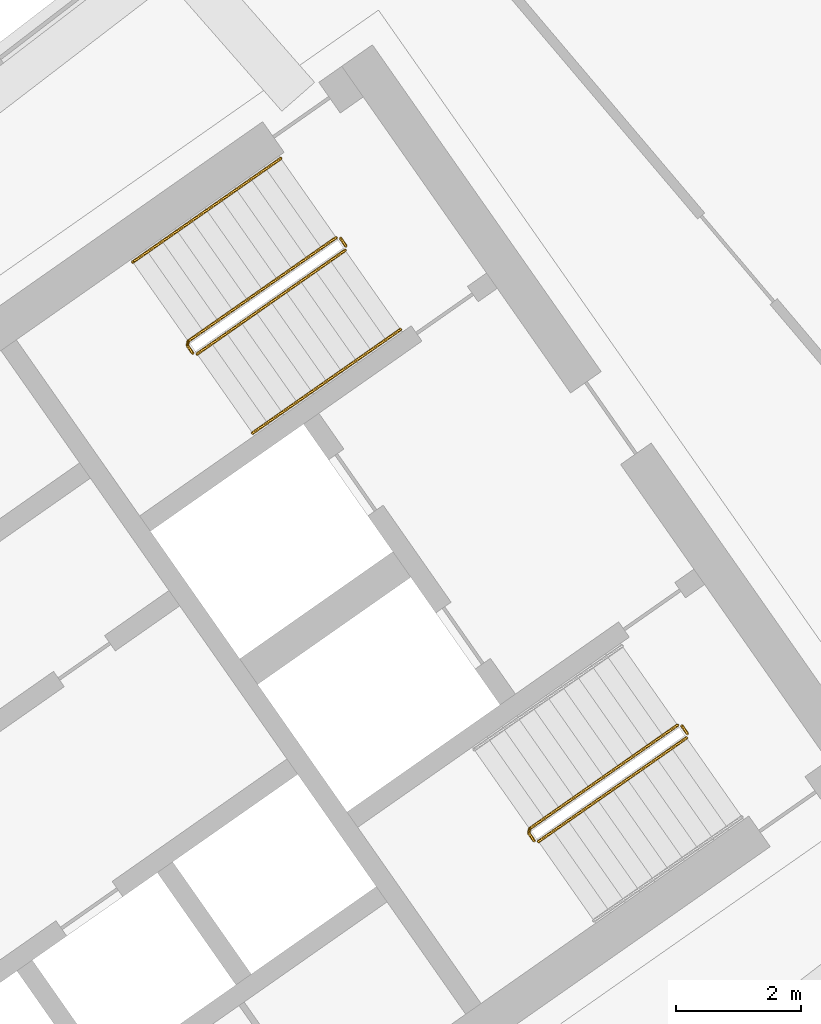
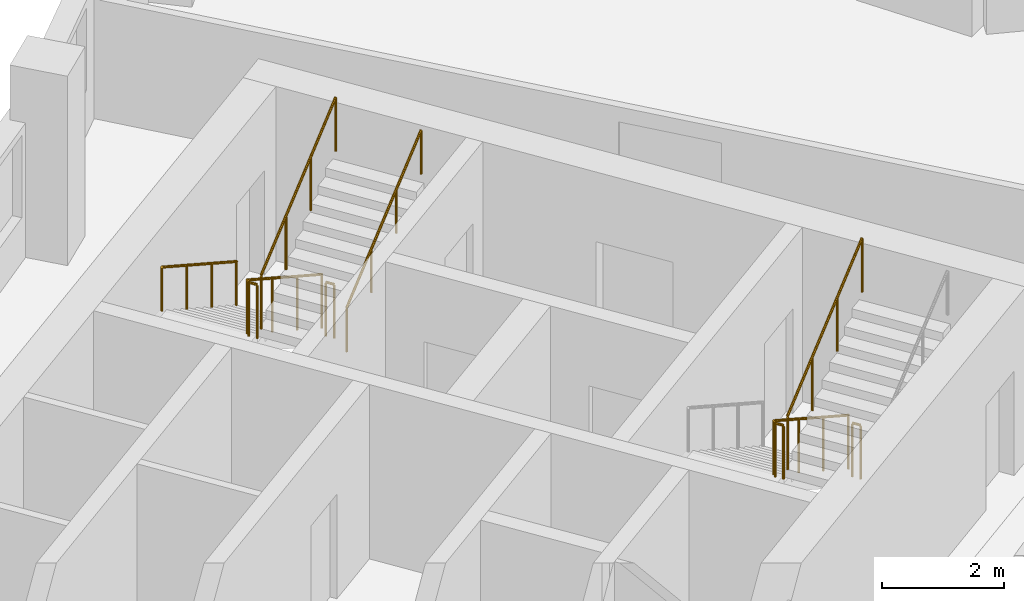
# One storey, part 29 of 29: 8 railings.
"""IFC4 building model written with IfcOpenShell, lengths in metres."""

from ifc_helpers import new_model, si_unit, direction, frame, origin, origin_2d, place, context, subcontext, project, spatial, circle, extrude, material, type_object, element, save


model = new_model("IFC4")

# Units and contexts
model_context = context("Model", 3, precision=1e-05, world=origin(), true_north=direction((0.0, 1.0)))
body_context = subcontext(model_context, "Body", "Model", "MODEL_VIEW")
ifc_project = project(units=[si_unit("LENGTHUNIT", "METRE"), si_unit("AREAUNIT", "SQUARE_METRE"), si_unit("VOLUMEUNIT", "CUBIC_METRE"), si_unit("PLANEANGLEUNIT", "RADIAN"), si_unit("MASSUNIT", "GRAM", prefix="KILO")], contexts=[model_context])

# Site, building, storey
site_placement = place(None, origin())
site = spatial("IfcSite", under=ifc_project, at=site_placement, CompositionType="ELEMENT")
building_placement = place(site_placement, origin())
building = spatial("IfcBuilding", under=site, at=building_placement, Name="Qamariyya Broadcast Tower", CompositionType="ELEMENT")
storey_placement = place(building_placement, frame((0.0, 0.0, 261.89990234375)))
storey = spatial("IfcBuildingStorey", under=building, at=storey_placement, Name="L63", CompositionType="ELEMENT", Elevation=261.89990234375)

# Railings
ifc_material_1 = material(Name="Painted steel", Category="steel")
railing_type_1 = type_object("IfcRailingType", Name="Stair guard", PredefinedType="GUARDRAIL", material=ifc_material_1)
railing_1_placement = place(storey_placement, frame((41.003173828125, -48.320068359375, 0.1728515625)))
element("IfcRailing", 1, at=railing_1_placement, inside=storey, type_object=railing_type_1, Name="L63 ST-E2 stair guard 1", PredefinedType="GUARDRAIL", context=body_context, shape_type="SweptSolid", body=[
    extrude(circle(Radius=0.02392578125, at=origin_2d()), frame((0.0, 0.0, 1.076171875), z_axis=(-0.703770094002, -0.492783725636, 0.511734163933), x_axis=(0.573575343427, -0.819152809562, 0.0)), (0.0, 0.0, 1.0), 3.37548828125),
    extrude(circle(Radius=0.02392578125, at=origin_2d()), frame((-2.37548828125, -1.663330078125, 2.80322265625), z_axis=(-0.172799478008, -0.984957024646, 0.0), x_axis=(0.984957024646, -0.172799478008, 0.0)), (0.0, 0.0, 1.0), 0.070556640625),
    extrude(circle(Radius=0.02392578125, at=origin_2d()), frame((-2.3876953125, -1.73291015625, 2.80322265625), z_axis=(0.572588637393, -0.819842821722, 0.0), x_axis=(0.819842821722, 0.572588637393, 0.0)), (0.0, 0.0, 1.0), 0.150146484375),
    extrude(circle(Radius=0.02099609375, at=origin_2d()), origin(), (0.0, 0.0, 1.0), 1.052001953125),
    extrude(circle(Radius=0.02099609375, at=origin_2d()), frame((-0.791748046875, -0.554443359375, 0.57568359375)), (0.0, 0.0, 1.0), 1.052001953125),
    extrude(circle(Radius=0.02099609375, at=origin_2d()), frame((-1.583740234375, -1.10888671875, 1.151611328125)), (0.0, 0.0, 1.0), 1.052001953125),
    extrude(circle(Radius=0.02099609375, at=origin_2d()), frame((-2.37548828125, -1.663330078125, 1.727294921875)), (0.0, 0.0, 1.0), 1.052001953125),
    extrude(circle(Radius=0.02099609375, at=origin_2d()), frame((-2.3876953125, -1.73291015625, 1.727294921875)), (0.0, 0.0, 1.0), 1.052001953125),
    extrude(circle(Radius=0.02099609375, at=origin_2d()), frame((-2.3017578125, -1.85595703125, 1.727294921875)), (0.0, 0.0, 1.0), 1.052001953125),
])
railing_2_placement = place(storey_placement, frame((38.771240234375, -50.188232421875, 2.07275390625)))
element("IfcRailing", 2, at=railing_2_placement, inside=storey, type_object=railing_type_1, Name="L63 ST-E2 stair guard 2", PredefinedType="GUARDRAIL", context=body_context, shape_type="SweptSolid", body=[
    extrude(circle(Radius=0.02392578125, at=origin_2d()), frame((0.0, 0.0, 1.076171875), z_axis=(0.703770094002, 0.492783725636, 0.511734163933), x_axis=(-0.573575343427, 0.819152809562, 0.0)), (0.0, 0.0, 1.0), 3.37548828125),
    extrude(circle(Radius=0.02099609375, at=origin_2d()), origin(), (0.0, 0.0, 1.0), 1.052001953125),
    extrude(circle(Radius=0.02099609375, at=origin_2d()), frame((0.791748046875, 0.554443359375, 0.57568359375)), (0.0, 0.0, 1.0), 1.052001953125),
    extrude(circle(Radius=0.02099609375, at=origin_2d()), frame((1.583740234375, 1.10888671875, 1.151611328125)), (0.0, 0.0, 1.0), 1.052001953125),
    extrude(circle(Radius=0.02099609375, at=origin_2d()), frame((2.37548828125, 1.663330078125, 1.727294921875)), (0.0, 0.0, 1.0), 1.052001953125),
])
railing_3_placement = place(storey_placement, frame((41.072998046875, -48.332275390625, 0.0)))
element("IfcRailing", 3, at=railing_3_placement, inside=storey, type_object=railing_type_1, Name="L63 ST-E2 stair guard 3", PredefinedType="GUARDRAIL", context=body_context, shape_type="SweptSolid", body=[
    extrude(circle(Radius=0.02392578125, at=origin_2d()), frame((0.0, 0.0, 1.076171875), z_axis=(0.572588637393, -0.819842821722, 0.0), x_axis=(0.819842821722, 0.572588637393, 0.0)), (0.0, 0.0, 1.0), 0.150146484375),
    extrude(circle(Radius=0.02099609375, at=origin_2d()), origin(), (0.0, 0.0, 1.0), 1.052001953125),
    extrude(circle(Radius=0.02099609375, at=origin_2d()), frame((0.0859375, -0.123046875, 0.0)), (0.0, 0.0, 1.0), 1.052001953125),
])
railing_4_placement = place(storey_placement, frame((46.48095703125, -56.14306640625, 0.1728515625)))
element("IfcRailing", 4, at=railing_4_placement, inside=storey, type_object=railing_type_1, Name="L63 ST-E1 stair guard 1", PredefinedType="GUARDRAIL", context=body_context, shape_type="SweptSolid", body=[
    extrude(circle(Radius=0.02392578125, at=origin_2d()), frame((0.0, 0.0, 1.076171875), z_axis=(-0.703770094002, -0.492783725636, 0.511734163933), x_axis=(0.573575343427, -0.819152809562, 0.0)), (0.0, 0.0, 1.0), 3.37548828125),
    extrude(circle(Radius=0.02392578125, at=origin_2d()), frame((-2.37548828125, -1.663330078125, 2.80322265625), z_axis=(-0.176149252506, -0.984363469884, 0.0), x_axis=(0.984363469884, -0.176149252506, 0.0)), (0.0, 0.0, 1.0), 0.07080078125),
    extrude(circle(Radius=0.02392578125, at=origin_2d()), frame((-2.387939453125, -1.73291015625, 2.80322265625), z_axis=(0.574444878118, -0.818543268254, 0.0), x_axis=(0.818543268254, 0.574444878118, 0.0)), (0.0, 0.0, 1.0), 0.150146484375),
    extrude(circle(Radius=0.02099609375, at=origin_2d()), origin(), (0.0, 0.0, 1.0), 1.052001953125),
    extrude(circle(Radius=0.02099609375, at=origin_2d()), frame((-0.791748046875, -0.554443359375, 0.57568359375)), (0.0, 0.0, 1.0), 1.052001953125),
    extrude(circle(Radius=0.02099609375, at=origin_2d()), frame((-1.583740234375, -1.10888671875, 1.151611328125)), (0.0, 0.0, 1.0), 1.052001953125),
    extrude(circle(Radius=0.02099609375, at=origin_2d()), frame((-2.37548828125, -1.663330078125, 1.727294921875)), (0.0, 0.0, 1.0), 1.052001953125),
    extrude(circle(Radius=0.02099609375, at=origin_2d()), frame((-2.387939453125, -1.73291015625, 1.727294921875)), (0.0, 0.0, 1.0), 1.052001953125),
    extrude(circle(Radius=0.02099609375, at=origin_2d()), frame((-2.3017578125, -1.855712890625, 1.727294921875)), (0.0, 0.0, 1.0), 1.052001953125),
])
railing_5_placement = place(storey_placement, frame((44.248779296875, -58.01123046875, 2.07275390625)))
element("IfcRailing", 5, at=railing_5_placement, inside=storey, type_object=railing_type_1, Name="L63 ST-E1 stair guard 2", PredefinedType="GUARDRAIL", context=body_context, shape_type="SweptSolid", body=[
    extrude(circle(Radius=0.02392578125, at=origin_2d()), frame((0.0, 0.0, 1.076171875), z_axis=(0.703745009021, 0.492838488332, 0.511715923826), x_axis=(-0.573631830683, 0.819113253969, 0.0)), (0.0, 0.0, 1.0), 3.37548828125),
    extrude(circle(Radius=0.02099609375, at=origin_2d()), origin(), (0.0, 0.0, 1.0), 1.052001953125),
    extrude(circle(Radius=0.02099609375, at=origin_2d()), frame((0.791748046875, 0.554443359375, 0.57568359375)), (0.0, 0.0, 1.0), 1.052001953125),
    extrude(circle(Radius=0.02099609375, at=origin_2d()), frame((1.583740234375, 1.109130859375, 1.151611328125)), (0.0, 0.0, 1.0), 1.052001953125),
    extrude(circle(Radius=0.02099609375, at=origin_2d()), frame((2.37548828125, 1.66357421875, 1.727294921875)), (0.0, 0.0, 1.0), 1.052001953125),
])
railing_6_placement = place(storey_placement, frame((46.550537109375, -56.1552734375, 0.0)))
element("IfcRailing", 6, at=railing_6_placement, inside=storey, type_object=railing_type_1, Name="L63 ST-E1 stair guard 3", PredefinedType="GUARDRAIL", context=body_context, shape_type="SweptSolid", body=[
    extrude(circle(Radius=0.02392578125, at=origin_2d()), frame((0.0, 0.0, 1.076171875), z_axis=(0.574444878118, -0.818543268254, 0.0), x_axis=(0.818543268254, 0.574444878118, 0.0)), (0.0, 0.0, 1.0), 0.150146484375),
    extrude(circle(Radius=0.02099609375, at=origin_2d()), origin(), (0.0, 0.0, 1.0), 1.052001953125),
    extrude(circle(Radius=0.02099609375, at=origin_2d()), frame((0.086181640625, -0.122802734375, 0.0)), (0.0, 0.0, 1.0), 1.052001953125),
])
ifc_material_2 = material(Name="Stainless steel", Category="steel")
railing_type_2 = type_object("IfcRailingType", Name="Stair handrail", PredefinedType="HANDRAIL", material=ifc_material_2)
railing_7_placement = place(storey_placement, frame((40.1142578125, -47.05029296875, 0.1728515625)))
element("IfcRailing", 7, at=railing_7_placement, inside=storey, type_object=railing_type_2, Name="L63 ST-E2 stair handrail 1", PredefinedType="HANDRAIL", context=body_context, shape_type="SweptSolid", body=[
    extrude(circle(Radius=0.02392578125, at=origin_2d()), frame((0.0, 0.0, 0.8759765625), z_axis=(-0.703745009021, -0.492838488332, 0.511715923826), x_axis=(0.573631830683, -0.819113253969, 0.0)), (0.0, 0.0, 1.0), 3.37548828125),
    extrude(circle(Radius=0.02099609375, at=origin_2d()), origin(), (0.0, 0.0, 1.0), 0.851806640625),
    extrude(circle(Radius=0.02099609375, at=origin_2d()), frame((-0.791748046875, -0.554443359375, 0.57568359375)), (0.0, 0.0, 1.0), 0.851806640625),
    extrude(circle(Radius=0.02099609375, at=origin_2d()), frame((-1.583740234375, -1.109130859375, 1.151611328125)), (0.0, 0.0, 1.0), 0.851806640625),
    extrude(circle(Radius=0.02099609375, at=origin_2d()), frame((-2.37548828125, -1.66357421875, 1.727294921875)), (0.0, 0.0, 1.0), 0.851806640625),
])
railing_8_placement = place(storey_placement, frame((39.66015625, -51.4580078125, 2.07275390625)))
element("IfcRailing", 8, at=railing_8_placement, inside=storey, type_object=railing_type_2, Name="L63 ST-E2 stair handrail 2", PredefinedType="HANDRAIL", context=body_context, shape_type="SweptSolid", body=[
    extrude(circle(Radius=0.02392578125, at=origin_2d()), frame((0.0, 0.0, 0.8759765625), z_axis=(0.703745009021, 0.492838488332, 0.511715923826), x_axis=(-0.573631830683, 0.819113253969, 0.0)), (0.0, 0.0, 1.0), 3.37548828125),
    extrude(circle(Radius=0.02099609375, at=origin_2d()), origin(), (0.0, 0.0, 1.0), 0.851806640625),
    extrude(circle(Radius=0.02099609375, at=origin_2d()), frame((0.791748046875, 0.554443359375, 0.57568359375)), (0.0, 0.0, 1.0), 0.851806640625),
    extrude(circle(Radius=0.02099609375, at=origin_2d()), frame((1.583740234375, 1.109130859375, 1.151611328125)), (0.0, 0.0, 1.0), 0.851806640625),
    extrude(circle(Radius=0.02099609375, at=origin_2d()), frame((2.37548828125, 1.66357421875, 1.727294921875)), (0.0, 0.0, 1.0), 0.851806640625),
])

save(model, "model.ifc")
